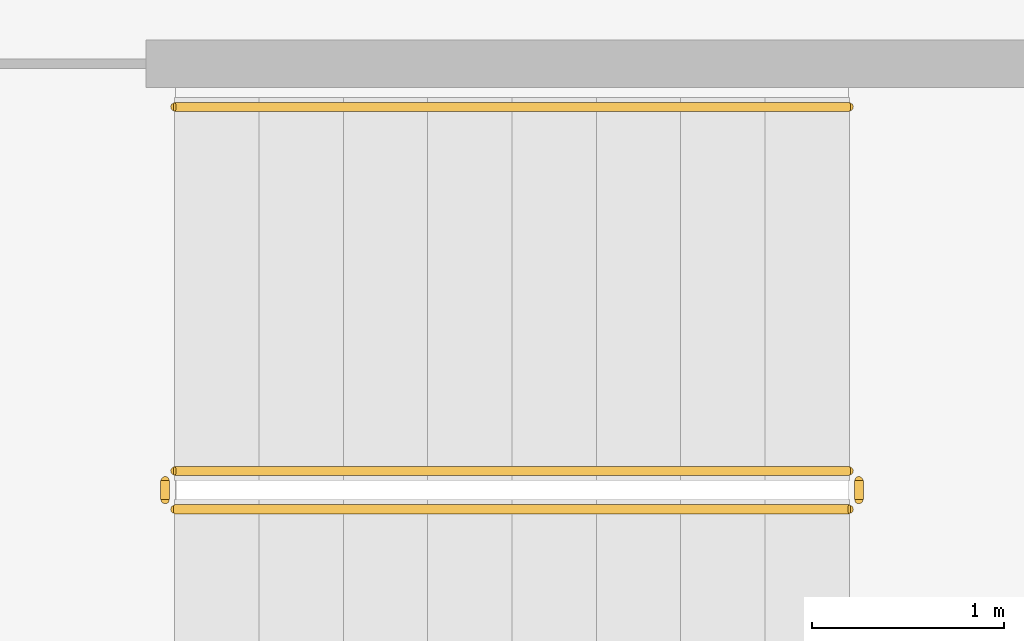
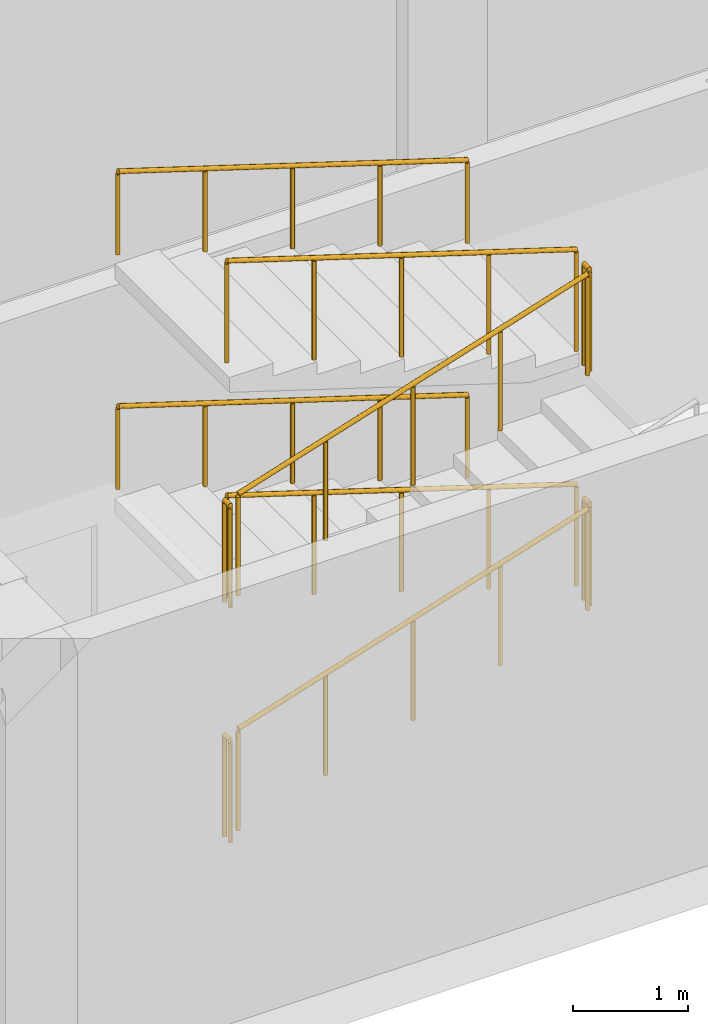
# One storey, part 31 of 36: 10 railings.
"""IFC4 building model written with IfcOpenShell, lengths in metres."""

from ifc_helpers import new_model, si_unit, direction, frame, origin, origin_2d, place, context, subcontext, project, spatial, circle, extrude, material, type_object, element, save


model = new_model("IFC4")

# Units and contexts
model_context = context("Model", 3, precision=1e-05, world=origin(), true_north=direction((0.0, 1.0)))
body_context = subcontext(model_context, "Body", "Model", "MODEL_VIEW")
ifc_project = project(units=[si_unit("LENGTHUNIT", "METRE"), si_unit("AREAUNIT", "SQUARE_METRE"), si_unit("VOLUMEUNIT", "CUBIC_METRE"), si_unit("PLANEANGLEUNIT", "RADIAN"), si_unit("MASSUNIT", "GRAM", prefix="KILO")], contexts=[model_context])

# Site, building, storey
site_placement = place(None, origin())
site = spatial("IfcSite", under=ifc_project, at=site_placement, CompositionType="ELEMENT")
building_placement = place(site_placement, origin())
building = spatial("IfcBuilding", under=site, at=building_placement, Name="Jabali Bay Hotel Tower and Convention Centre", CompositionType="ELEMENT")
storey_placement = place(building_placement, frame((0.0, 0.0, 20.39990234375)))
storey = spatial("IfcBuildingStorey", under=building, at=storey_placement, Name="L03", CompositionType="ELEMENT", Elevation=20.39990234375)

# Railings
ifc_material = material(Name="Stainless steel 304", Category="steel")
railing_type_1 = type_object("IfcRailingType", Name="CC Stair Guard 1100", PredefinedType="GUARDRAIL", material=ifc_material)
railing_1_placement = place(storey_placement, frame((204.0, 51.64990234375, 0.138916015625)))
element("IfcRailing", 1, at=railing_1_placement, inside=storey, type_object=railing_type_1, Name="L03 CC-STS2 stair guard 1", PredefinedType="GUARDRAIL", context=body_context, shape_type="SweptSolid", body=[
    extrude(circle(Radius=0.02392578125, at=origin_2d()), frame((0.0, 0.0, 1.076171875), z_axis=(0.953621642043, 0.0, 0.301007913229), x_axis=(0.0, 1.0, 0.0)), (0.0, 0.0, 1.0), 3.691162109375),
    extrude(circle(Radius=0.02099609375, at=origin_2d()), origin(), (0.0, 0.0, 1.0), 1.052001953125),
    extrude(circle(Radius=0.02099609375, at=origin_2d()), frame((0.8798828125, 0.0, 0.27783203125)), (0.0, 0.0, 1.0), 1.052001953125),
    extrude(circle(Radius=0.02099609375, at=origin_2d()), frame((1.760009765625, 0.0, 0.5556640625)), (0.0, 0.0, 1.0), 1.052001953125),
    extrude(circle(Radius=0.02099609375, at=origin_2d()), frame((2.64013671875, 0.0, 0.833251953125)), (0.0, 0.0, 1.0), 1.052001953125),
    extrude(circle(Radius=0.02099609375, at=origin_2d()), frame((3.52001953125, 0.0, 1.111083984375)), (0.0, 0.0, 1.0), 1.052001953125),
])
railing_2_placement = place(storey_placement, frame((207.570068359375, 51.699951171875, 1.25)))
element("IfcRailing", 2, at=railing_2_placement, inside=storey, type_object=railing_type_1, Name="L03 CC-STS2 stair guard 2", PredefinedType="GUARDRAIL", context=body_context, shape_type="SweptSolid", body=[
    extrude(circle(Radius=0.02392578125, at=origin_2d()), frame((0.0, 0.0, 1.076171875), z_axis=(0.0, 1.0, 0.0), x_axis=(-1.0, 0.0, 0.0)), (0.0, 0.0, 1.0), 0.10009765625),
    extrude(circle(Radius=0.02099609375, at=origin_2d()), origin(), (0.0, 0.0, 1.0), 1.052001953125),
    extrude(circle(Radius=0.02099609375, at=origin_2d()), frame((0.0, 0.10009765625, 0.0)), (0.0, 0.0, 1.0), 1.052001953125),
])
railing_3_placement = place(storey_placement, frame((207.52001953125, 51.85009765625, 1.388916015625)))
element("IfcRailing", 3, at=railing_3_placement, inside=storey, type_object=railing_type_1, Name="L03 CC-STS2 stair guard 3", PredefinedType="GUARDRAIL", context=body_context, shape_type="SweptSolid", body=[
    extrude(circle(Radius=0.02392578125, at=origin_2d()), frame((0.0, 0.0, 1.076171875), z_axis=(-0.953621642043, 0.0, 0.301007913229), x_axis=(0.0, -1.0, 0.0)), (0.0, 0.0, 1.0), 3.691162109375),
    extrude(circle(Radius=0.02099609375, at=origin_2d()), origin(), (0.0, 0.0, 1.0), 1.052001953125),
    extrude(circle(Radius=0.02099609375, at=origin_2d()), frame((-0.8798828125, 0.0, 0.27783203125)), (0.0, 0.0, 1.0), 1.052001953125),
    extrude(circle(Radius=0.02099609375, at=origin_2d()), frame((-1.760009765625, 0.0, 0.5556640625)), (0.0, 0.0, 1.0), 1.052001953125),
    extrude(circle(Radius=0.02099609375, at=origin_2d()), frame((-2.64013671875, 0.0, 0.833251953125)), (0.0, 0.0, 1.0), 1.052001953125),
    extrude(circle(Radius=0.02099609375, at=origin_2d()), frame((-3.52001953125, 0.0, 1.111083984375)), (0.0, 0.0, 1.0), 1.052001953125),
])
railing_4_placement = place(storey_placement, frame((203.949951171875, 51.699951171875, 2.5)))
element("IfcRailing", 4, at=railing_4_placement, inside=storey, type_object=railing_type_1, Name="L03 CC-STS2 stair guard 4", PredefinedType="GUARDRAIL", context=body_context, shape_type="SweptSolid", body=[
    extrude(circle(Radius=0.02392578125, at=origin_2d()), frame((0.0, 0.0, 1.076171875), z_axis=(0.0, 1.0, 0.0), x_axis=(-1.0, 0.0, 0.0)), (0.0, 0.0, 1.0), 0.10009765625),
    extrude(circle(Radius=0.02099609375, at=origin_2d()), origin(), (0.0, 0.0, 1.0), 1.052001953125),
    extrude(circle(Radius=0.02099609375, at=origin_2d()), frame((0.0, 0.10009765625, 0.0)), (0.0, 0.0, 1.0), 1.052001953125),
])
railing_5_placement = place(storey_placement, frame((204.0, 51.64990234375, 2.638916015625)))
element("IfcRailing", 5, at=railing_5_placement, inside=storey, type_object=railing_type_1, Name="L03 CC-STS2 stair guard 5", PredefinedType="GUARDRAIL", context=body_context, shape_type="SweptSolid", body=[
    extrude(circle(Radius=0.02392578125, at=origin_2d()), frame((0.0, 0.0, 1.076171875), z_axis=(0.953621642043, 0.0, 0.301007913229), x_axis=(0.0, 1.0, 0.0)), (0.0, 0.0, 1.0), 3.691162109375),
    extrude(circle(Radius=0.02099609375, at=origin_2d()), origin(), (0.0, 0.0, 1.0), 1.052001953125),
    extrude(circle(Radius=0.02099609375, at=origin_2d()), frame((0.8798828125, 0.0, 0.27783203125)), (0.0, 0.0, 1.0), 1.052001953125),
    extrude(circle(Radius=0.02099609375, at=origin_2d()), frame((1.760009765625, 0.0, 0.5556640625)), (0.0, 0.0, 1.0), 1.052001953125),
    extrude(circle(Radius=0.02099609375, at=origin_2d()), frame((2.64013671875, 0.0, 0.833251953125)), (0.0, 0.0, 1.0), 1.052001953125),
    extrude(circle(Radius=0.02099609375, at=origin_2d()), frame((3.52001953125, 0.0, 1.111083984375)), (0.0, 0.0, 1.0), 1.052001953125),
])
railing_6_placement = place(storey_placement, frame((207.570068359375, 51.699951171875, 3.75)))
element("IfcRailing", 6, at=railing_6_placement, inside=storey, type_object=railing_type_1, Name="L03 CC-STS2 stair guard 6", PredefinedType="GUARDRAIL", context=body_context, shape_type="SweptSolid", body=[
    extrude(circle(Radius=0.02392578125, at=origin_2d()), frame((0.0, 0.0, 1.076171875), z_axis=(0.0, 1.0, 0.0), x_axis=(-1.0, 0.0, 0.0)), (0.0, 0.0, 1.0), 0.10009765625),
    extrude(circle(Radius=0.02099609375, at=origin_2d()), origin(), (0.0, 0.0, 1.0), 1.052001953125),
    extrude(circle(Radius=0.02099609375, at=origin_2d()), frame((0.0, 0.10009765625, 0.0)), (0.0, 0.0, 1.0), 1.052001953125),
])
railing_7_placement = place(storey_placement, frame((207.52001953125, 51.85009765625, 3.888916015625)))
element("IfcRailing", 7, at=railing_7_placement, inside=storey, type_object=railing_type_1, Name="L03 CC-STS2 stair guard 7", PredefinedType="GUARDRAIL", context=body_context, shape_type="SweptSolid", body=[
    extrude(circle(Radius=0.02392578125, at=origin_2d()), frame((0.0, 0.0, 1.076171875), z_axis=(-0.953621642043, 0.0, 0.301007913229), x_axis=(0.0, -1.0, 0.0)), (0.0, 0.0, 1.0), 3.691162109375),
    extrude(circle(Radius=0.02099609375, at=origin_2d()), origin(), (0.0, 0.0, 1.0), 1.052001953125),
    extrude(circle(Radius=0.02099609375, at=origin_2d()), frame((-0.8798828125, 0.0, 0.27783203125)), (0.0, 0.0, 1.0), 1.052001953125),
    extrude(circle(Radius=0.02099609375, at=origin_2d()), frame((-1.760009765625, 0.0, 0.5556640625)), (0.0, 0.0, 1.0), 1.052001953125),
    extrude(circle(Radius=0.02099609375, at=origin_2d()), frame((-2.64013671875, 0.0, 0.833251953125)), (0.0, 0.0, 1.0), 1.052001953125),
    extrude(circle(Radius=0.02099609375, at=origin_2d()), frame((-3.52001953125, 0.0, 1.111083984375)), (0.0, 0.0, 1.0), 1.052001953125),
])
railing_8_placement = place(storey_placement, frame((203.949951171875, 51.699951171875, 0.0)))
element("IfcRailing", 8, at=railing_8_placement, inside=storey, type_object=railing_type_1, Name="L03 CC-STS2 stair guard 8", PredefinedType="GUARDRAIL", context=body_context, shape_type="SweptSolid", body=[
    extrude(circle(Radius=0.02392578125, at=origin_2d()), frame((0.0, 0.0, 1.076171875), z_axis=(0.0, 1.0, 0.0), x_axis=(-1.0, 0.0, 0.0)), (0.0, 0.0, 1.0), 0.10009765625),
    extrude(circle(Radius=0.02099609375, at=origin_2d()), origin(), (0.0, 0.0, 1.0), 1.052001953125),
    extrude(circle(Radius=0.02099609375, at=origin_2d()), frame((0.0, 0.10009765625, 0.0)), (0.0, 0.0, 1.0), 1.052001953125),
])
railing_type_2 = type_object("IfcRailingType", Name="CC Stair Handrail 900", PredefinedType="HANDRAIL", material=ifc_material)
for number, where, name in (
    (9, (207.52001953125, 53.75, 1.388916015625), "L03 CC-STS2 stair handrail 2"),
    (10, (207.52001953125, 53.75, 3.888916015625), "L03 CC-STS2 stair handrail 4"),
):
    element("IfcRailing", number, at=place(storey_placement, frame(where)), inside=storey, type_object=railing_type_2, Name=name, PredefinedType="HANDRAIL", context=body_context, shape_type="SweptSolid", body=[
        extrude(circle(Radius=0.02392578125, at=origin_2d()), frame((0.0, 0.0, 0.8759765625), z_axis=(-0.953621642043, 0.0, 0.301007913229), x_axis=(0.0, -1.0, 0.0)), (0.0, 0.0, 1.0), 3.691162109375),
        extrude(circle(Radius=0.02099609375, at=origin_2d()), origin(), (0.0, 0.0, 1.0), 0.851806640625),
        extrude(circle(Radius=0.02099609375, at=origin_2d()), frame((-0.8798828125, 0.0, 0.27783203125)), (0.0, 0.0, 1.0), 0.851806640625),
        extrude(circle(Radius=0.02099609375, at=origin_2d()), frame((-1.760009765625, 0.0, 0.5556640625)), (0.0, 0.0, 1.0), 0.851806640625),
        extrude(circle(Radius=0.02099609375, at=origin_2d()), frame((-2.64013671875, 0.0, 0.833251953125)), (0.0, 0.0, 1.0), 0.851806640625),
        extrude(circle(Radius=0.02099609375, at=origin_2d()), frame((-3.52001953125, 0.0, 1.111083984375)), (0.0, 0.0, 1.0), 0.851806640625),
    ])

save(model, "model.ifc")
